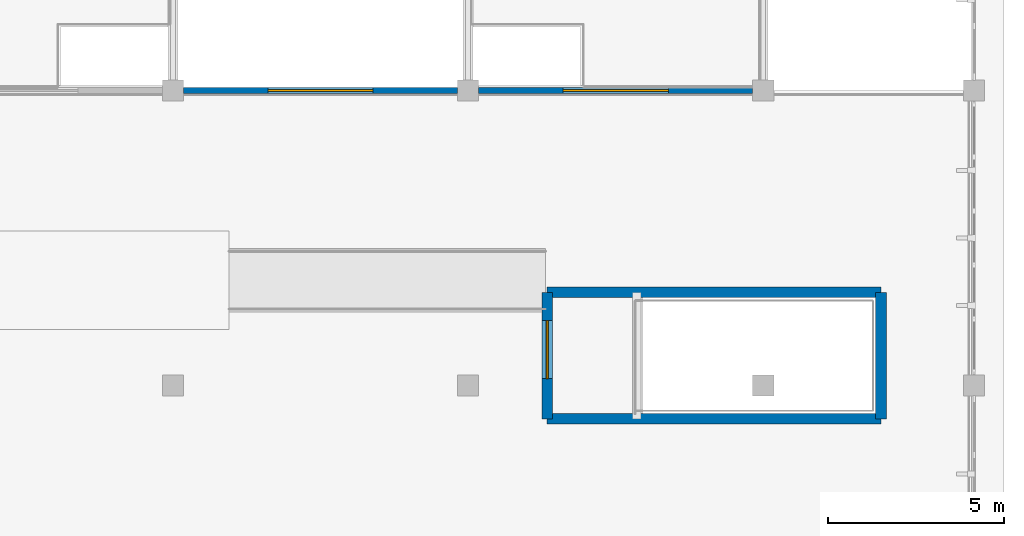
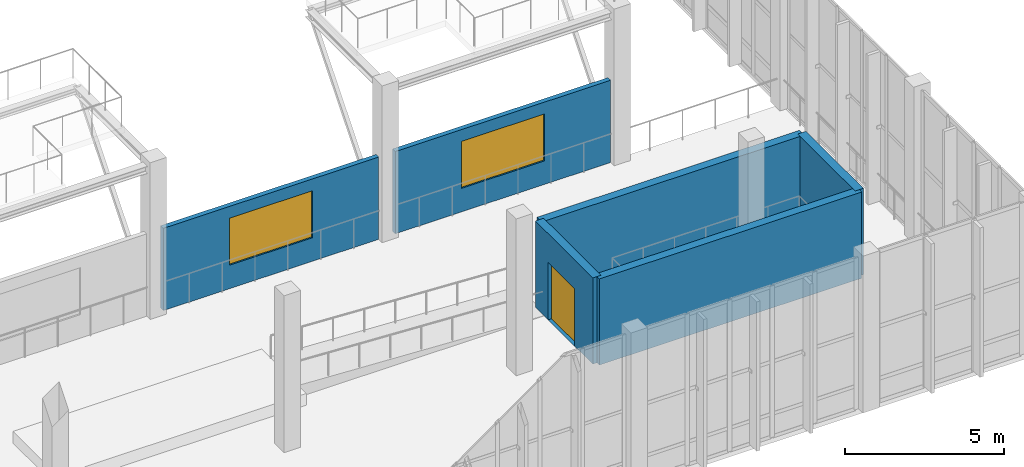
# One storey, part 77 of 105: 6 walls, 2 windows, 1 door, 3 openings.
"""IFC4 building model written with IfcOpenShell, lengths in metres."""

from ifc_helpers import new_model, si_unit, direction, frame, frame_2d, origin, place, context, subcontext, project, spatial, rectangle, extrude, material, layer, layer_set, type_object, element, fill, save


model = new_model("IFC4")

# Units and contexts
model_context = context("Model", 3, precision=1e-05, world=origin(), true_north=direction((0.0, 1.0)))
body_context = subcontext(model_context, "Body", "Model", "MODEL_VIEW")
ifc_project = project(units=[si_unit("LENGTHUNIT", "METRE"), si_unit("AREAUNIT", "SQUARE_METRE"), si_unit("VOLUMEUNIT", "CUBIC_METRE"), si_unit("PLANEANGLEUNIT", "RADIAN"), si_unit("MASSUNIT", "GRAM", prefix="KILO")], contexts=[model_context])

# Site, building, storey
site_placement = place(None, origin())
site = spatial("IfcSite", under=ifc_project, at=site_placement, CompositionType="ELEMENT")
building_placement = place(site_placement, origin())
building = spatial("IfcBuilding", under=site, at=building_placement, Name="Tizgana Railside Sports Hall", CompositionType="ELEMENT")
storey_placement = place(building_placement, frame((0.0, 0.0, 6.0)))
storey = spatial("IfcBuildingStorey", under=building, at=storey_placement, Name="L01", CompositionType="ELEMENT", Elevation=6.0)

# Walls
ifc_material_1 = material(Name="Concrete C40/50", Category="concrete")
ifc_layer_1 = layer(ifc_material_1, 0.300048828125, Name="Concrete C40/50")
ifc_layer_set_1 = layer_set([ifc_layer_1], Name="Concrete C40/50")
wall_type_1 = type_object("IfcWallType", Name="Core Shear Wall 300", PredefinedType="SHEAR", material=ifc_layer_set_1)
for number, where, z_axis, x_axis, name in (
    (1, (169.550048828125, 79.449951171875, 0.0), (0.0, 0.0, 1.0), (-1.0, 0.0, 0.0), "L01 C9 Shaft Wall S"),
    (2, (160.050048828125, 83.050048828125, 0.0), (0.0, 0.0, 1.0), (1.0, 0.0, 0.0), "L01 C9 Shaft Wall N"),
):
    element("IfcWall", number, at=place(storey_placement, frame(where, z_axis=z_axis, x_axis=x_axis)), inside=storey, type_object=wall_type_1, Name=name, PredefinedType="SHEAR", context=body_context, shape_type="SweptSolid", body=[
        extrude(rectangle(XDim=9.5, YDim=0.300048828125, at=frame_2d((4.75, 0.0))), origin(), (0.0, 0.0, 1.0), 3.300048828125),
    ])

# Wall, opening, door
wall_1_placement = place(storey_placement, frame((160.050048828125, 79.449951171875, 0.0), z_axis=(0.0, 0.0, 1.0), x_axis=(0.0, 1.0, 0.0)))
wall_1 = element("IfcWall", 3, at=wall_1_placement, inside=storey, type_object=wall_type_1, Name="L01 C9 Shaft Wall W", PredefinedType="SHEAR", context=body_context, shape_type="SweptSolid", body=[
    extrude(rectangle(XDim=3.60009765625, YDim=0.300048828125, at=frame_2d((1.800048828125, 0.0))), origin(), (0.0, 0.0, 1.0), 3.300048828125),
])
opening_1_placement = place(wall_1_placement, frame((1.14990234375, 0.0, 0.0)))
opening_1 = element("IfcOpeningElement", 4, at=opening_1_placement, cuts=wall_1, Name="Opening D-0098", PredefinedType="OPENING", context=body_context, shape_type="SweptSolid", body=[
    extrude(rectangle(XDim=1.64990234375, YDim=2.199951171875, at=frame_2d((0.824951171875, 1.10009765625))), frame((0.0, 0.159912109375, 0.0), z_axis=(0.0, -1.0, 0.0), x_axis=(1.0, 0.0, 0.0)), (0.0, 0.0, 1.0), 0.320068359375),
])
ifc_material_2 = material(Name="Timber fire leaf", Category="wood")
door_type = type_object("IfcDoorType", Name="Stair Core Double Fire Door 1650x2200", OperationType="NOTDEFINED", PredefinedType="DOOR", material=ifc_material_2)
door_placement = place(opening_1_placement, origin())
door = element("IfcDoor", 5, at=door_placement, inside=storey, type_object=door_type, Name="L01 Door D-0098", OperationType="DOUBLE_DOOR_SINGLE_SWING", OverallHeight=2.199951171875, OverallWidth=1.64990234375, PredefinedType="DOOR", context=body_context, shape_type="SweptSolid", body=[
    extrude(rectangle(XDim=1.64990234375, YDim=2.199951171875, at=frame_2d((0.824951171875, 1.10009765625))), frame((0.0, 0.02490234375, 0.0), z_axis=(0.0, -1.0, 0.0), x_axis=(1.0, 0.0, 0.0)), (0.0, 0.0, 1.0), 0.050048828125),
])
fill(opening_1, door)

# Wall
wall_2_placement = place(storey_placement, frame((169.550048828125, 79.449951171875, 0.0), z_axis=(0.0, 0.0, 1.0), x_axis=(0.0, 1.0, 0.0)))
element("IfcWall", 6, at=wall_2_placement, inside=storey, type_object=wall_type_1, Name="L01 C9 Shaft Wall E", PredefinedType="SHEAR", context=body_context, shape_type="SweptSolid", body=[
    extrude(rectangle(XDim=3.60009765625, YDim=0.300048828125, at=frame_2d((1.800048828125, 0.0))), origin(), (0.0, 0.0, 1.0), 3.300048828125),
])

# Wall, opening, window
ifc_material_3 = material(Name="Acoustic gypsum stud")
ifc_layer_2 = layer(ifc_material_3, 0.169921875, Name="Acoustic gypsum stud")
ifc_layer_set_2 = layer_set([ifc_layer_2], Name="Acoustic gypsum stud")
wall_type_2 = type_object("IfcWallType", Name="Studio Acoustic Partition 170", PredefinedType="STANDARD", material=ifc_layer_set_2)
wall_3_placement = place(storey_placement, frame((149.699951171875, 88.800048828125, 0.0), z_axis=(0.0, 0.0, 1.0), x_axis=(1.0, 0.0, 0.0)))
wall_3 = element("IfcWall", 7, at=wall_3_placement, inside=storey, type_object=wall_type_2, Name="L01 Partition PWAL-0289", PredefinedType="STANDARD", context=body_context, shape_type="SweptSolid", body=[
    extrude(rectangle(XDim=7.800048828125, YDim=0.169921875, at=frame_2d((3.89990234375, 0.0))), origin(), (0.0, 0.0, 1.0), 3.14990234375),
])
opening_2_placement = place(wall_3_placement, frame((2.39990234375, 0.0, 0.89990234375)))
opening_2 = element("IfcOpeningElement", 8, at=opening_2_placement, cuts=wall_3, Name="Opening W-0132", PredefinedType="OPENING", context=body_context, shape_type="SweptSolid", body=[
    extrude(rectangle(XDim=3.0, YDim=1.800048828125, at=frame_2d((1.5, 0.89990234375))), frame((0.0, 0.094970703125, 0.0), z_axis=(0.0, -1.0, 0.0), x_axis=(1.0, 0.0, 0.0)), (0.0, 0.0, 1.0), 0.18994140625),
])
ifc_material_4 = material(Name="Double low-E laminated glass", Category="glass")
window_type = type_object("IfcWindowType", Name="Gallery-to-Climbing Viewing Window 3000x2100", PartitioningType="SINGLE_PANEL", PredefinedType="WINDOW", material=ifc_material_4)
window_1_placement = place(opening_2_placement, origin())
window_1 = element("IfcWindow", 9, at=window_1_placement, inside=storey, type_object=window_type, Name="L01 Interior Window W-0132", OverallHeight=1.800048828125, OverallWidth=3.0, PartitioningType="SINGLE_PANEL", PredefinedType="WINDOW", context=body_context, shape_type="SweptSolid", body=[
    extrude(rectangle(XDim=3.0, YDim=1.800048828125, at=frame_2d((1.5, 0.89990234375))), frame((0.0, 0.030029296875, 0.0), z_axis=(0.0, -1.0, 0.0), x_axis=(1.0, 0.0, 0.0)), (0.0, 0.0, 1.0), 0.06005859375),
])
fill(opening_2, window_1)

wall_4_placement = place(storey_placement, frame((158.10009765625, 88.800048828125, 0.0), z_axis=(0.0, 0.0, 1.0), x_axis=(1.0, 0.0, 0.0)))
wall_4 = element("IfcWall", 10, at=wall_4_placement, inside=storey, type_object=wall_type_2, Name="L01 Partition PWAL-0291", PredefinedType="STANDARD", context=body_context, shape_type="SweptSolid", body=[
    extrude(rectangle(XDim=7.7998046875, YDim=0.169921875, at=frame_2d((3.89990234375, 0.0))), origin(), (0.0, 0.0, 1.0), 3.14990234375),
])
opening_3_placement = place(wall_4_placement, frame((2.39990234375, 0.0, 0.89990234375)))
opening_3 = element("IfcOpeningElement", 11, at=opening_3_placement, cuts=wall_4, Name="Opening W-0133", PredefinedType="OPENING", context=body_context, shape_type="SweptSolid", body=[
    extrude(rectangle(XDim=3.0, YDim=1.800048828125, at=frame_2d((1.5, 0.89990234375))), frame((0.0, 0.094970703125, 0.0), z_axis=(0.0, -1.0, 0.0), x_axis=(1.0, 0.0, 0.0)), (0.0, 0.0, 1.0), 0.18994140625),
])
window_2_placement = place(opening_3_placement, origin())
window_2 = element("IfcWindow", 12, at=window_2_placement, inside=storey, type_object=window_type, Name="L01 Interior Window W-0133", OverallHeight=1.800048828125, OverallWidth=3.0, PartitioningType="SINGLE_PANEL", PredefinedType="WINDOW", context=body_context, shape_type="SweptSolid", body=[
    extrude(rectangle(XDim=3.0, YDim=1.800048828125, at=frame_2d((1.5, 0.89990234375))), frame((0.0, 0.030029296875, 0.0), z_axis=(0.0, -1.0, 0.0), x_axis=(1.0, 0.0, 0.0)), (0.0, 0.0, 1.0), 0.06005859375),
])
fill(opening_3, window_2)

save(model, "model.ifc")
